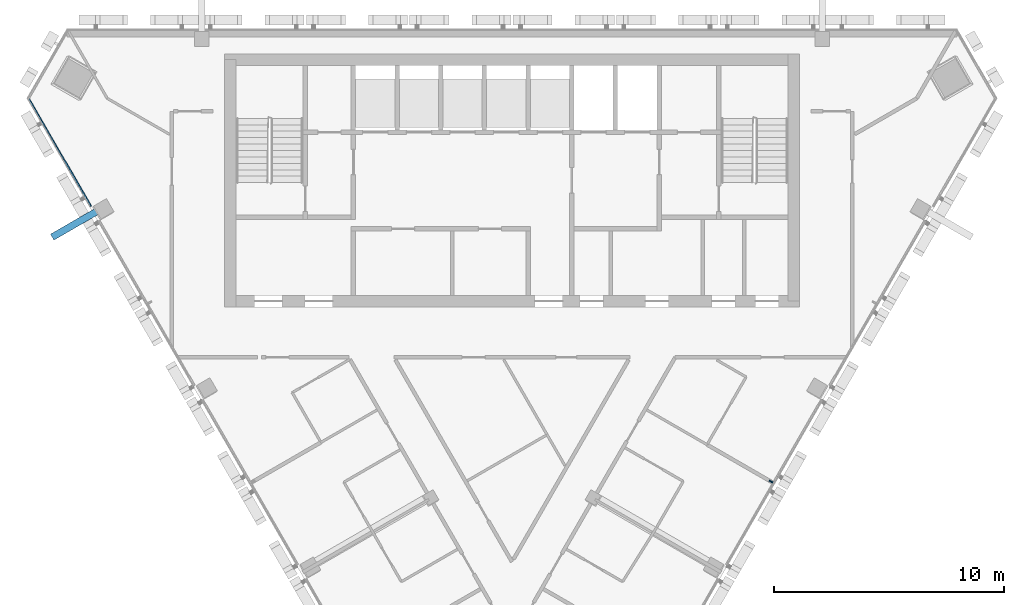
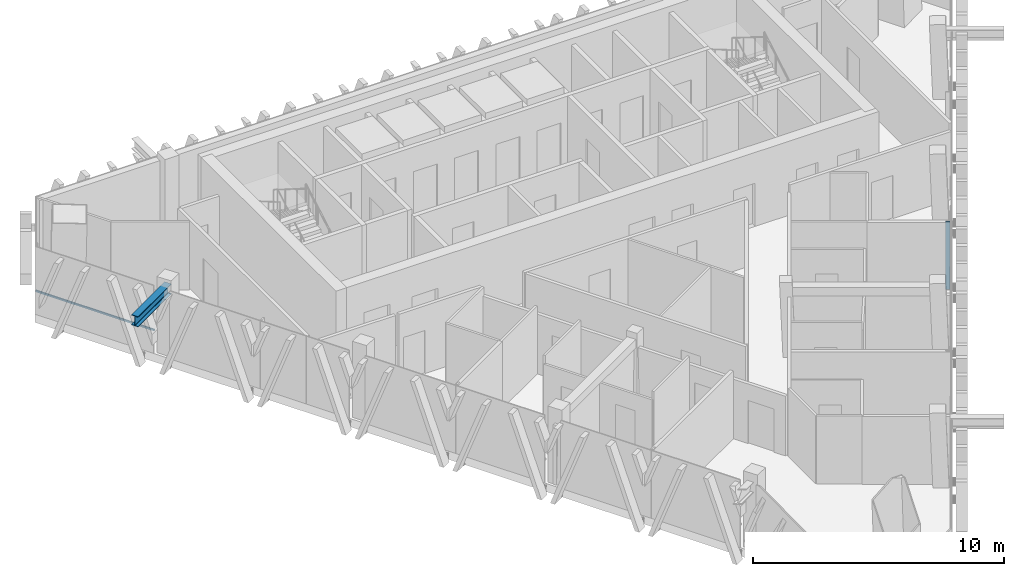
# One storey, part 3 of 12: 3 members, 2 elements without a shape of their own.
"""IFC4 building model written with IfcOpenShell, lengths in metres."""

import ifcopenshell
import ifcopenshell.guid

model = None  # the IFC model being written
_history = None  # IfcOwnerHistory: only IFC2X3 demands one
_inside = {}  # id of a spatial element -> (the spatial element, [elements in it])
_under = {}  # id of a project, library or spatial element -> (it, [spatial elements below it])
_declared = {}  # id of a project -> (the project, [libraries it declares])
_typed = {}  # id of a type object -> (the type object, [elements of that type])
_made_of = {}  # id of a material, layer set ... -> (it, [elements and type objects made of it])


def new_model(schema):
    """Start an empty IFC model of exactly this schema.

    Asked for "IFC4X3", IfcOpenShell would pick the latest addendum, in which some entities
    have other attributes; the version numbers below select the first issue.
    IFC2X3 requires an IfcOwnerHistory on every rooted entity: one is made here for all.
    """
    global model, _history
    if schema == "IFC4X3":
        model = ifcopenshell.file(schema_version=(4, 3, 0, 0))
    else:
        model = ifcopenshell.file(schema=schema)
    _inside.clear()
    _under.clear()
    _declared.clear()
    _typed.clear()
    _made_of.clear()
    _history = None
    if model.schema == "IFC2X3":
        org = make("IfcOrganization", Name="unknown")
        user = make(
            "IfcPersonAndOrganization",
            ThePerson=make("IfcPerson", FamilyName="unknown"),
            TheOrganization=org,
        )
        app = make(
            "IfcApplication",
            ApplicationDeveloper=org,
            Version="unknown",
            ApplicationFullName="unknown",
            ApplicationIdentifier="unknown",
        )
        _history = make(
            "IfcOwnerHistory",
            OwningUser=user,
            OwningApplication=app,
            ChangeAction="ADDED",
            CreationDate=0,
        )
    return model


def make(cls, **values):
    """One entity of the class cls with the attributes given. An attribute that is None is left unset."""
    return model.create_entity(
        cls, **{name: value for name, value in values.items() if value is not None}
    )


def rooted(cls, **values):
    """An entity with a GlobalId (a new one), such as an element, a storey or a relation."""
    return make(cls, GlobalId=ifcopenshell.guid.new(), OwnerHistory=_history, **values)


def si_unit(unit_type, name, prefix=None):
    """IfcSIUnit, for example si_unit("LENGTHUNIT", "METRE", prefix="MILLI")."""
    return make("IfcSIUnit", UnitType=unit_type, Prefix=prefix, Name=name)


def assignment(units):
    """IfcUnitAssignment: the units of a project."""
    return None if units is None else make("IfcUnitAssignment", Units=units)


def point(xyz):
    """IfcCartesianPoint."""
    return None if xyz is None else make("IfcCartesianPoint", Coordinates=xyz)


def direction(xyz):
    """IfcDirection."""
    return None if xyz is None else make("IfcDirection", DirectionRatios=xyz)


def frame(location, z_axis=None, x_axis=None):
    """IfcAxis2Placement3D, a coordinate frame: its origin and axes. An axis left out is left unset."""
    return make(
        "IfcAxis2Placement3D",
        Location=point(location),
        Axis=direction(z_axis),
        RefDirection=direction(x_axis),
    )


def frame_2d(location, x_axis=None):
    """IfcAxis2Placement2D, a coordinate frame in the plane: its origin and x axis."""
    return make(
        "IfcAxis2Placement2D", Location=point(location), RefDirection=direction(x_axis)
    )


def origin():
    """The frame at (0, 0, 0) with its axes left unset."""
    return frame((0.0, 0.0, 0.0))


def origin_2d():
    """The frame at (0, 0) in the plane with its x axis left unset."""
    return frame_2d((0.0, 0.0))


def place(relative_to, where):
    """IfcLocalPlacement: puts the frame where relative to a parent placement (None: the world)."""
    return make(
        "IfcLocalPlacement", PlacementRelTo=relative_to, RelativePlacement=where
    )


def context(
    kind, dimensions, precision=None, world=None, true_north=None, identifier=None
):
    """IfcGeometricRepresentationContext, for example the 3D "Model" context."""
    return make(
        "IfcGeometricRepresentationContext",
        ContextIdentifier=identifier,
        ContextType=kind,
        CoordinateSpaceDimension=dimensions,
        Precision=precision,
        WorldCoordinateSystem=world,
        TrueNorth=true_north,
    )


def subcontext(parent, identifier, kind, view, scale=None):
    """IfcGeometricRepresentationSubContext, for example "Body" below "Model"."""
    return make(
        "IfcGeometricRepresentationSubContext",
        ContextIdentifier=identifier,
        ContextType=kind,
        ParentContext=parent,
        TargetScale=scale,
        TargetView=view,
    )


def project(units=None, contexts=None):
    """IfcProject with its units and contexts."""
    return rooted(
        "IfcProject",
        Name="project",
        RepresentationContexts=contexts,
        UnitsInContext=assignment(units),
    )


def spatial(cls, under=None, at=None, **own):
    """A site, building, storey or space (cls), placed at a placement, below another one or the project."""
    s = rooted(cls, ObjectPlacement=at, **own)
    if under is not None:
        _under.setdefault(under.id(), (under, []))[1].append(s)
    return s


def profile(cls, at=None, kind="AREA", **sizes):
    """A parametric profile (cls). Its sizes go by their IFC names, for example OverallWidth=200.0."""
    return make(cls, ProfileType=kind, Position=at, **sizes)


def rectangle(**sizes):
    """IfcRectangleProfileDef."""
    return profile("IfcRectangleProfileDef", **sizes)


def i_section(**sizes):
    """IfcIShapeProfileDef."""
    return profile("IfcIShapeProfileDef", **sizes)


def extrude(swept, where, along, depth):
    """IfcExtrudedAreaSolid: the profile swept, set in the frame where, extruded along a direction by depth."""
    return make(
        "IfcExtrudedAreaSolid",
        SweptArea=swept,
        Position=where,
        ExtrudedDirection=direction(along),
        Depth=depth,
    )


def shape(context_of_items, identifier, shape_type, items):
    """IfcShapeRepresentation: the items that make up one representation, for example the "Body"."""
    return make(
        "IfcShapeRepresentation",
        ContextOfItems=context_of_items,
        RepresentationIdentifier=identifier,
        RepresentationType=shape_type,
        Items=items,
    )


def material(Name=None, Category=None):
    """IfcMaterial."""
    return make("IfcMaterial", Name=Name, Category=Category)


def layer(
    of_material, thickness, ventilated=None, Name=None, Category=None, Priority=None
):
    """IfcMaterialLayer: one layer of a wall or slab, of a material (None: an air gap)."""
    return make(
        "IfcMaterialLayer",
        Material=of_material,
        LayerThickness=thickness,
        IsVentilated=ventilated,
        Name=Name,
        Category=Category,
        Priority=Priority,
    )


def layer_set(layers, Name=None):
    """IfcMaterialLayerSet."""
    return make("IfcMaterialLayerSet", MaterialLayers=layers, LayerSetName=Name)


def material_profile(
    of_material, cross_section, Name=None, Category=None, Priority=None
):
    """IfcMaterialProfile: a cross section and its material."""
    return make(
        "IfcMaterialProfile",
        Name=Name,
        Material=of_material,
        Profile=cross_section,
        Priority=Priority,
        Category=Category,
    )


def profile_set(profiles, Name=None, composite=None):
    """IfcMaterialProfileSet."""
    return make(
        "IfcMaterialProfileSet",
        Name=Name,
        MaterialProfiles=profiles,
        CompositeProfile=composite,
    )


def made_of(thing, what):
    """Note that an element or type object is made of a material, layer set ...; save() writes the relation."""
    if what is not None:
        _made_of.setdefault(what.id(), (what, []))[1].append(thing)
    return thing


def type_object(cls, material=None, **own):
    """A type object (cls), such as IfcWallType, which elements share."""
    return made_of(rooted(cls, **own), material)


def element(
    cls,
    number,
    at=None,
    inside=None,
    cuts=None,
    type_object=None,
    material=None,
    context=None,
    identifier="Body",
    shape_type=None,
    held_by="IfcProductDefinitionShape",
    body=None,
    shapes=None,
    **own,
):
    """One element of the class cls, such as IfcWall. Its Tag is "e" and its number.

    at: its placement. inside: the storey or other place that contains it. cuts: it is an
    opening in that element (IfcRelVoidsElement). A single representation is given by context,
    identifier, shape_type and body (its items); several are given by shapes. held_by: the class
    of the entity that holds the representations. save() writes the other relations.
    """
    e = rooted(cls, Tag="e%d" % number, ObjectPlacement=at, **own)
    if body is not None:
        shapes = [shape(context, identifier, shape_type, body)]
    if shapes is not None:
        e.Representation = make(held_by, Representations=shapes)
    if inside is not None:
        _inside.setdefault(inside.id(), (inside, []))[1].append(e)
    if cuts is not None:
        rooted(
            "IfcRelVoidsElement", RelatingBuildingElement=cuts, RelatedOpeningElement=e
        )
    if type_object is not None:
        _typed.setdefault(type_object.id(), (type_object, []))[1].append(e)
    return made_of(e, material)


def aggregate(whole, parts):
    """IfcRelAggregates: a whole, such as a stair, and the parts it consists of."""
    return rooted("IfcRelAggregates", RelatingObject=whole, RelatedObjects=parts)


def save(model, path):
    """Write the relations noted so far, then the file.

    IfcRelAggregates (storeys below a building ...), IfcRelContainedInSpatialStructure (elements
    in a storey), IfcRelDefinesByType, IfcRelAssociatesMaterial and IfcRelDeclares: one each for
    every whole, place, type object, material and project.
    """
    for whole, parts in _under.values():
        aggregate(whole, parts)
    for where, things in _inside.values():
        rooted(
            "IfcRelContainedInSpatialStructure",
            RelatedElements=things,
            RelatingStructure=where,
        )
    for kind, things in _typed.values():
        rooted("IfcRelDefinesByType", RelatedObjects=things, RelatingType=kind)
    for what, things in _made_of.values():
        rooted("IfcRelAssociatesMaterial", RelatedObjects=things, RelatingMaterial=what)
    for by, libraries in _declared.values():
        rooted("IfcRelDeclares", RelatingContext=by, RelatedDefinitions=libraries)
    model.write(path)


model = new_model("IFC4")

# Units and contexts
model_context = context("Model", 3, precision=1e-05, world=origin(), true_north=direction((0.0, 1.0)))
body_context = subcontext(model_context, "Body", "Model", "MODEL_VIEW")
ifc_project = project(units=[si_unit("LENGTHUNIT", "METRE"), si_unit("AREAUNIT", "SQUARE_METRE"), si_unit("VOLUMEUNIT", "CUBIC_METRE"), si_unit("PLANEANGLEUNIT", "RADIAN"), si_unit("MASSUNIT", "GRAM", prefix="KILO")], contexts=[model_context])

# Site, building, storey
site_placement = place(None, origin())
site = spatial("IfcSite", under=ifc_project, at=site_placement, CompositionType="ELEMENT")
building_placement = place(site_placement, origin())
building = spatial("IfcBuilding", under=site, at=building_placement, Name="Altiplano Prism Tower", CompositionType="ELEMENT")
storey_placement = place(building_placement, frame((0.0, 0.0, 331.0)))
storey = spatial("IfcBuildingStorey", under=building, at=storey_placement, Name="L86", CompositionType="ELEMENT", Elevation=331.0)

# Member
ifc_material_1 = material(Name="Steel S355", Category="steel")
ifc_material_profile_1 = material_profile(ifc_material_1, i_section(OverallWidth=0.300048828125, OverallDepth=0.5, WebThickness=0.014404296875, FlangeThickness=0.028076171875, FilletRadius=0.027099609375, at=origin_2d()), Name="Brace bracket HEB 500")
ifc_profile_set_1 = profile_set([ifc_material_profile_1], Name="Steel S355")
member_type_1 = type_object("IfcMemberType", Name="Brace bracket HEB 500", PredefinedType="STRUT", material=ifc_profile_set_1)
member_1_placement = place(storey_placement, frame((67.287841796875, 97.25439453125, 2.949951171875), z_axis=(-0.866029095148, -0.499993606316, 0.0), x_axis=(0.499993606316, -0.866029095148, 0.0)))
element("IfcMember", 1, at=member_1_placement, inside=storey, type_object=member_type_1, Name="Brace bracket 1.334.6", PredefinedType="STRUT", context=body_context, shape_type="SweptSolid", body=[
    extrude(i_section(OverallWidth=0.300048828125, OverallDepth=0.5, WebThickness=0.014404296875, FlangeThickness=0.028076171875, FilletRadius=0.027099609375, at=origin_2d()), origin(), (0.0, 0.0, 1.0), 2.64990234375),
])

# Curtain wall, member
ifc_material_2 = material(Name="Aluminium and glass", Category="aluminium")
ifc_layer = layer(ifc_material_2, 0.280029296875)
ifc_layer_set = layer_set([ifc_layer], Name="Aluminium and glass")
curtain_wall_type = type_object("IfcCurtainWallType", Name="CW1 typical co-living unitised curtain wall", PredefinedType="NOTDEFINED", material=ifc_layer_set)
curtain_wall_1_placement = place(storey_placement, origin())
curtain_wall_1 = element("IfcCurtainWall", 2, at=curtain_wall_1_placement, inside=storey, type_object=curtain_wall_type, Name="CW1 curtain wall south-east face L86", PredefinedType="NOTDEFINED")
ifc_material_3 = material(Name="Aluminium", Category="aluminium")
ifc_material_profile_2 = material_profile(ifc_material_3, rectangle(XDim=0.179931640625, YDim=0.06494140625, at=origin_2d()), Name="CW1 mullion 65 x 180")
ifc_profile_set_2 = profile_set([ifc_material_profile_2], Name="Aluminium")
member_type_2 = type_object("IfcMemberType", Name="CW1 mullion 65 x 180", PredefinedType="MULLION", material=ifc_profile_set_2)
member_2_placement = place(storey_placement, frame((96.267333984375, 85.29443359375, 0.0), z_axis=(0.0, 0.0, 1.0), x_axis=(-0.866025406324, 0.499999995602, 0.0)))
member_2 = element("IfcMember", 3, at=member_2_placement, type_object=member_type_2, Name="CW1 mullion", PredefinedType="MULLION", context=body_context, shape_type="SweptSolid", body=[
    extrude(rectangle(XDim=0.179931640625, YDim=0.06494140625, at=origin_2d()), origin(), (0.0, 0.0, 1.0), 3.300048828125),
])
aggregate(curtain_wall_1, [member_2])

curtain_wall_2_placement = place(storey_placement, origin())
curtain_wall_2 = element("IfcCurtainWall", 4, at=curtain_wall_2_placement, inside=storey, type_object=curtain_wall_type, Name="CW1 curtain wall south-west face L86", PredefinedType="NOTDEFINED")
ifc_material_profile_3 = material_profile(ifc_material_3, rectangle(XDim=0.06005859375, YDim=0.080078125, at=origin_2d()), Name="CW1 transom 80 x 60")
ifc_profile_set_3 = profile_set([ifc_material_profile_3], Name="Aluminium")
member_type_3 = type_object("IfcMemberType", Name="CW1 transom 80 x 60", PredefinedType="USERDEFINED", material=ifc_profile_set_3)
member_3_placement = place(storey_placement, frame((63.947021484375, 102.003662109375, 1.10009765625), z_axis=(0.500006352507, -0.866021736132, 0.0), x_axis=(0.866021736132, 0.500006352507, 0.0)))
member_3 = element("IfcMember", 5, at=member_3_placement, type_object=member_type_3, Name="CW1 transom", ObjectType="TRANSOM", PredefinedType="USERDEFINED", context=body_context, shape_type="SweptSolid", body=[
    extrude(rectangle(XDim=0.06005859375, YDim=0.080078125, at=origin_2d()), origin(), (0.0, 0.0, 1.0), 5.458984375),
])
aggregate(curtain_wall_2, [member_3])

save(model, "model.ifc")
